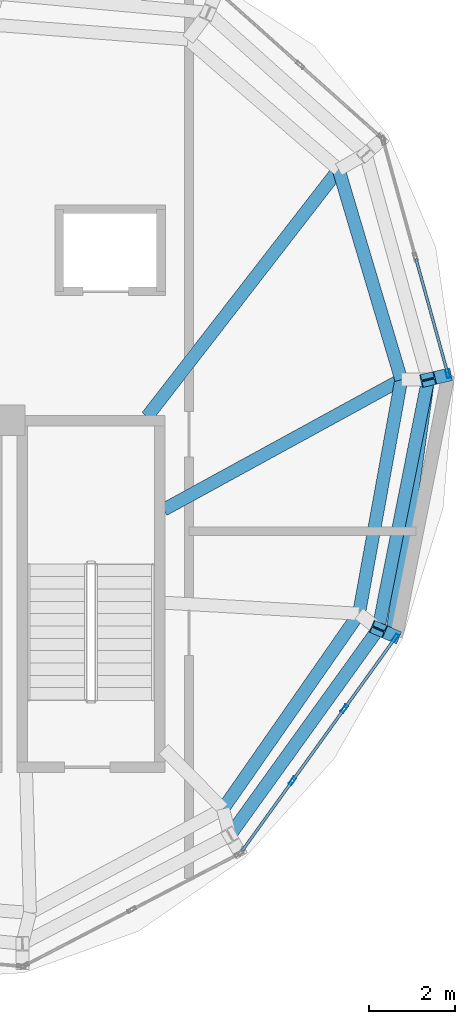
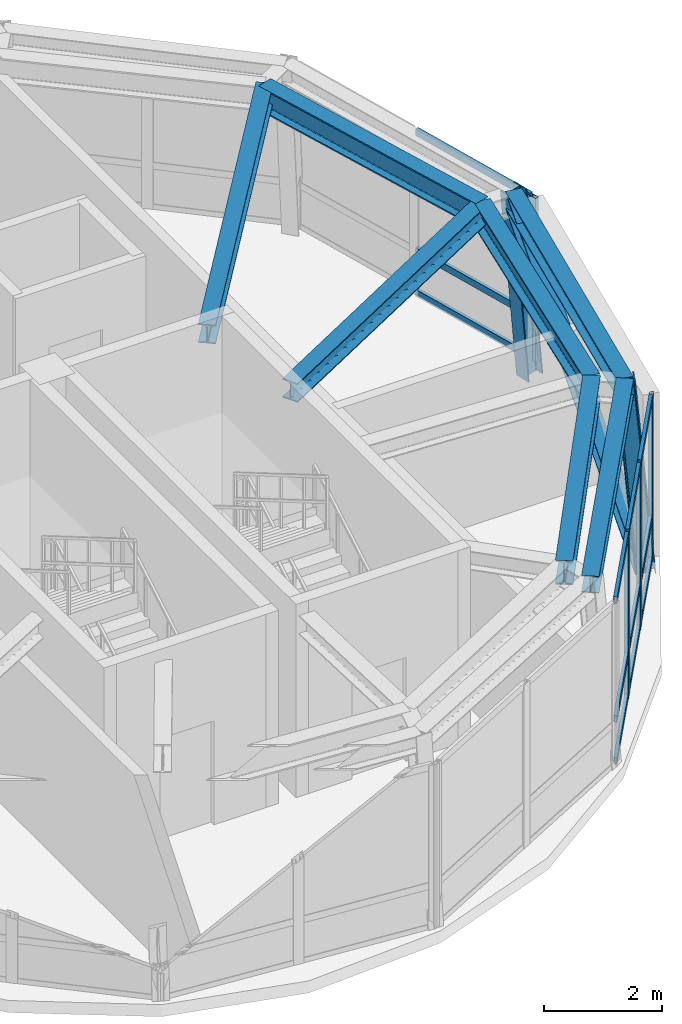
# One storey, part 4 of 9: 19 members, 7 beams, 2 elements without a shape of their own.
"""IFC4 building model written with IfcOpenShell, lengths in metres."""

import ifcopenshell
import ifcopenshell.guid

model = None  # the IFC model being written
_history = None  # IfcOwnerHistory: only IFC2X3 demands one
_inside = {}  # id of a spatial element -> (the spatial element, [elements in it])
_under = {}  # id of a project, library or spatial element -> (it, [spatial elements below it])
_declared = {}  # id of a project -> (the project, [libraries it declares])
_typed = {}  # id of a type object -> (the type object, [elements of that type])
_made_of = {}  # id of a material, layer set ... -> (it, [elements and type objects made of it])


def new_model(schema):
    """Start an empty IFC model of exactly this schema.

    Asked for "IFC4X3", IfcOpenShell would pick the latest addendum, in which some entities
    have other attributes; the version numbers below select the first issue.
    IFC2X3 requires an IfcOwnerHistory on every rooted entity: one is made here for all.
    """
    global model, _history
    if schema == "IFC4X3":
        model = ifcopenshell.file(schema_version=(4, 3, 0, 0))
    else:
        model = ifcopenshell.file(schema=schema)
    _inside.clear()
    _under.clear()
    _declared.clear()
    _typed.clear()
    _made_of.clear()
    _history = None
    if model.schema == "IFC2X3":
        org = make("IfcOrganization", Name="unknown")
        user = make(
            "IfcPersonAndOrganization",
            ThePerson=make("IfcPerson", FamilyName="unknown"),
            TheOrganization=org,
        )
        app = make(
            "IfcApplication",
            ApplicationDeveloper=org,
            Version="unknown",
            ApplicationFullName="unknown",
            ApplicationIdentifier="unknown",
        )
        _history = make(
            "IfcOwnerHistory",
            OwningUser=user,
            OwningApplication=app,
            ChangeAction="ADDED",
            CreationDate=0,
        )
    return model


def make(cls, **values):
    """One entity of the class cls with the attributes given. An attribute that is None is left unset."""
    return model.create_entity(
        cls, **{name: value for name, value in values.items() if value is not None}
    )


def rooted(cls, **values):
    """An entity with a GlobalId (a new one), such as an element, a storey or a relation."""
    return make(cls, GlobalId=ifcopenshell.guid.new(), OwnerHistory=_history, **values)


def si_unit(unit_type, name, prefix=None):
    """IfcSIUnit, for example si_unit("LENGTHUNIT", "METRE", prefix="MILLI")."""
    return make("IfcSIUnit", UnitType=unit_type, Prefix=prefix, Name=name)


def assignment(units):
    """IfcUnitAssignment: the units of a project."""
    return None if units is None else make("IfcUnitAssignment", Units=units)


def point(xyz):
    """IfcCartesianPoint."""
    return None if xyz is None else make("IfcCartesianPoint", Coordinates=xyz)


def direction(xyz):
    """IfcDirection."""
    return None if xyz is None else make("IfcDirection", DirectionRatios=xyz)


def frame(location, z_axis=None, x_axis=None):
    """IfcAxis2Placement3D, a coordinate frame: its origin and axes. An axis left out is left unset."""
    return make(
        "IfcAxis2Placement3D",
        Location=point(location),
        Axis=direction(z_axis),
        RefDirection=direction(x_axis),
    )


def frame_2d(location, x_axis=None):
    """IfcAxis2Placement2D, a coordinate frame in the plane: its origin and x axis."""
    return make(
        "IfcAxis2Placement2D", Location=point(location), RefDirection=direction(x_axis)
    )


def origin():
    """The frame at (0, 0, 0) with its axes left unset."""
    return frame((0.0, 0.0, 0.0))


def origin_2d():
    """The frame at (0, 0) in the plane with its x axis left unset."""
    return frame_2d((0.0, 0.0))


def place(relative_to, where):
    """IfcLocalPlacement: puts the frame where relative to a parent placement (None: the world)."""
    return make(
        "IfcLocalPlacement", PlacementRelTo=relative_to, RelativePlacement=where
    )


def context(
    kind, dimensions, precision=None, world=None, true_north=None, identifier=None
):
    """IfcGeometricRepresentationContext, for example the 3D "Model" context."""
    return make(
        "IfcGeometricRepresentationContext",
        ContextIdentifier=identifier,
        ContextType=kind,
        CoordinateSpaceDimension=dimensions,
        Precision=precision,
        WorldCoordinateSystem=world,
        TrueNorth=true_north,
    )


def subcontext(parent, identifier, kind, view, scale=None):
    """IfcGeometricRepresentationSubContext, for example "Body" below "Model"."""
    return make(
        "IfcGeometricRepresentationSubContext",
        ContextIdentifier=identifier,
        ContextType=kind,
        ParentContext=parent,
        TargetScale=scale,
        TargetView=view,
    )


def project(units=None, contexts=None):
    """IfcProject with its units and contexts."""
    return rooted(
        "IfcProject",
        Name="project",
        RepresentationContexts=contexts,
        UnitsInContext=assignment(units),
    )


def spatial(cls, under=None, at=None, **own):
    """A site, building, storey or space (cls), placed at a placement, below another one or the project."""
    s = rooted(cls, ObjectPlacement=at, **own)
    if under is not None:
        _under.setdefault(under.id(), (under, []))[1].append(s)
    return s


def profile(cls, at=None, kind="AREA", **sizes):
    """A parametric profile (cls). Its sizes go by their IFC names, for example OverallWidth=200.0."""
    return make(cls, ProfileType=kind, Position=at, **sizes)


def hollow_rectangle(**sizes):
    """IfcRectangleHollowProfileDef."""
    return profile("IfcRectangleHollowProfileDef", **sizes)


def i_section(**sizes):
    """IfcIShapeProfileDef."""
    return profile("IfcIShapeProfileDef", **sizes)


def extrude(swept, where, along, depth):
    """IfcExtrudedAreaSolid: the profile swept, set in the frame where, extruded along a direction by depth."""
    return make(
        "IfcExtrudedAreaSolid",
        SweptArea=swept,
        Position=where,
        ExtrudedDirection=direction(along),
        Depth=depth,
    )


def shape(context_of_items, identifier, shape_type, items):
    """IfcShapeRepresentation: the items that make up one representation, for example the "Body"."""
    return make(
        "IfcShapeRepresentation",
        ContextOfItems=context_of_items,
        RepresentationIdentifier=identifier,
        RepresentationType=shape_type,
        Items=items,
    )


def material(Name=None, Category=None):
    """IfcMaterial."""
    return make("IfcMaterial", Name=Name, Category=Category)


def layer(
    of_material, thickness, ventilated=None, Name=None, Category=None, Priority=None
):
    """IfcMaterialLayer: one layer of a wall or slab, of a material (None: an air gap)."""
    return make(
        "IfcMaterialLayer",
        Material=of_material,
        LayerThickness=thickness,
        IsVentilated=ventilated,
        Name=Name,
        Category=Category,
        Priority=Priority,
    )


def layer_set(layers, Name=None):
    """IfcMaterialLayerSet."""
    return make("IfcMaterialLayerSet", MaterialLayers=layers, LayerSetName=Name)


def material_profile(
    of_material, cross_section, Name=None, Category=None, Priority=None
):
    """IfcMaterialProfile: a cross section and its material."""
    return make(
        "IfcMaterialProfile",
        Name=Name,
        Material=of_material,
        Profile=cross_section,
        Priority=Priority,
        Category=Category,
    )


def profile_set(profiles, Name=None, composite=None):
    """IfcMaterialProfileSet."""
    return make(
        "IfcMaterialProfileSet",
        Name=Name,
        MaterialProfiles=profiles,
        CompositeProfile=composite,
    )


def made_of(thing, what):
    """Note that an element or type object is made of a material, layer set ...; save() writes the relation."""
    if what is not None:
        _made_of.setdefault(what.id(), (what, []))[1].append(thing)
    return thing


def type_object(cls, material=None, **own):
    """A type object (cls), such as IfcWallType, which elements share."""
    return made_of(rooted(cls, **own), material)


def element(
    cls,
    number,
    at=None,
    inside=None,
    cuts=None,
    type_object=None,
    material=None,
    context=None,
    identifier="Body",
    shape_type=None,
    held_by="IfcProductDefinitionShape",
    body=None,
    shapes=None,
    **own,
):
    """One element of the class cls, such as IfcWall. Its Tag is "e" and its number.

    at: its placement. inside: the storey or other place that contains it. cuts: it is an
    opening in that element (IfcRelVoidsElement). A single representation is given by context,
    identifier, shape_type and body (its items); several are given by shapes. held_by: the class
    of the entity that holds the representations. save() writes the other relations.
    """
    e = rooted(cls, Tag="e%d" % number, ObjectPlacement=at, **own)
    if body is not None:
        shapes = [shape(context, identifier, shape_type, body)]
    if shapes is not None:
        e.Representation = make(held_by, Representations=shapes)
    if inside is not None:
        _inside.setdefault(inside.id(), (inside, []))[1].append(e)
    if cuts is not None:
        rooted(
            "IfcRelVoidsElement", RelatingBuildingElement=cuts, RelatedOpeningElement=e
        )
    if type_object is not None:
        _typed.setdefault(type_object.id(), (type_object, []))[1].append(e)
    return made_of(e, material)


def aggregate(whole, parts):
    """IfcRelAggregates: a whole, such as a stair, and the parts it consists of."""
    return rooted("IfcRelAggregates", RelatingObject=whole, RelatedObjects=parts)


def save(model, path):
    """Write the relations noted so far, then the file.

    IfcRelAggregates (storeys below a building ...), IfcRelContainedInSpatialStructure (elements
    in a storey), IfcRelDefinesByType, IfcRelAssociatesMaterial and IfcRelDeclares: one each for
    every whole, place, type object, material and project.
    """
    for whole, parts in _under.values():
        aggregate(whole, parts)
    for where, things in _inside.values():
        rooted(
            "IfcRelContainedInSpatialStructure",
            RelatedElements=things,
            RelatingStructure=where,
        )
    for kind, things in _typed.values():
        rooted("IfcRelDefinesByType", RelatedObjects=things, RelatingType=kind)
    for what, things in _made_of.values():
        rooted("IfcRelAssociatesMaterial", RelatedObjects=things, RelatingMaterial=what)
    for by, libraries in _declared.values():
        rooted("IfcRelDeclares", RelatingContext=by, RelatedDefinitions=libraries)
    model.write(path)


model = new_model("IFC4")

# Units and contexts
model_context = context("Model", 3, precision=1e-05, world=origin(), true_north=direction((0.0, 1.0)))
body_context = subcontext(model_context, "Body", "Model", "MODEL_VIEW")
ifc_project = project(units=[si_unit("LENGTHUNIT", "METRE"), si_unit("AREAUNIT", "SQUARE_METRE"), si_unit("VOLUMEUNIT", "CUBIC_METRE"), si_unit("PLANEANGLEUNIT", "RADIAN"), si_unit("MASSUNIT", "GRAM", prefix="KILO"), si_unit("THERMODYNAMICTEMPERATUREUNIT", "KELVIN"), si_unit("POWERUNIT", "WATT")], contexts=[model_context])

# Site, building, storey
site_placement = place(None, origin())
site = spatial("IfcSite", under=ifc_project, at=site_placement, CompositionType="ELEMENT")
building_placement = place(site_placement, origin())
building = spatial("IfcBuilding", under=site, at=building_placement, Name="Ocrelia Relay Tower", CompositionType="ELEMENT")
storey_placement = place(building_placement, frame((0.0, 0.0, 304.0)))
storey = spatial("IfcBuildingStorey", under=building, at=storey_placement, Name="L76", CompositionType="ELEMENT", Elevation=304.0)

# Beams
ifc_material_1 = material(Name="Steel S355", Category="steel")
ifc_material_profile_1 = material_profile(ifc_material_1, i_section(OverallWidth=0.300048828125, OverallDepth=0.35009765625, WebThickness=0.010009765625, FlangeThickness=0.017578125, FilletRadius=0.027099609375, at=origin_2d()), Name="HEA 360")
ifc_profile_set_1 = profile_set([ifc_material_profile_1], Name="Steel S355")
beam_type_1 = type_object("IfcBeamType", Name="BM-HEA360", PredefinedType="SPANDREL", material=ifc_profile_set_1)
beam_1_placement = place(storey_placement, frame((39.09326171875, 17.515380859375, 3.574951171875), z_axis=(0.583939549479, 0.811797143722, 0.0), x_axis=(-0.811797143722, 0.583939549479, 0.0)))
element("IfcBeam", 1, at=beam_1_placement, inside=storey, type_object=beam_type_1, Name="L76 Crown Faceted Ring Beam R09", PredefinedType="SPANDREL", context=body_context, shape_type="SweptSolid", body=[
    extrude(i_section(OverallWidth=0.300048828125, OverallDepth=0.35009765625, WebThickness=0.010009765625, FlangeThickness=0.017578125, FilletRadius=0.027099609375, at=origin_2d()), origin(), (0.0, 0.0, 1.0), 5.88330078125),
])
beam_2_placement = place(storey_placement, frame((42.52880859375, 22.29150390625, 3.574951171875), z_axis=(0.195445770651, 0.980714510311, 0.0), x_axis=(-0.980714510311, 0.195445770651, 0.0)))
element("IfcBeam", 2, at=beam_2_placement, inside=storey, type_object=beam_type_1, Name="L76 Crown Faceted Ring Beam R10", PredefinedType="SPANDREL", context=body_context, shape_type="SweptSolid", body=[
    extrude(i_section(OverallWidth=0.300048828125, OverallDepth=0.35009765625, WebThickness=0.010009765625, FlangeThickness=0.017578125, FilletRadius=0.027099609375, at=origin_2d()), origin(), (0.0, 0.0, 1.0), 5.883544921875),
])
ifc_material_profile_2 = material_profile(ifc_material_1, i_section(OverallWidth=0.300048828125, OverallDepth=0.389892578125, WebThickness=0.010986328125, FlangeThickness=0.01904296875, FilletRadius=0.027099609375, at=origin_2d()), Name="HEA 400")
ifc_profile_set_2 = profile_set([ifc_material_profile_2], Name="Steel S355")
beam_type_2 = type_object("IfcBeamType", Name="BM-HEA400", PredefinedType="SPANDREL", material=ifc_profile_set_2)
beam_3_placement = place(storey_placement, frame((43.0595703125, 28.05810546875, 3.554931640625), z_axis=(-0.877222909285, -0.480083292174, 0.0), x_axis=(0.480083292174, -0.877222909285, 0.0)))
element("IfcBeam", 3, at=beam_3_placement, inside=storey, type_object=beam_type_2, Name="L76 Crown Radial Floor Beam 11", PredefinedType="SPANDREL", context=body_context, shape_type="SweptSolid", body=[
    extrude(i_section(OverallWidth=0.300048828125, OverallDepth=0.389892578125, WebThickness=0.010986328125, FlangeThickness=0.01904296875, FilletRadius=0.027099609375, at=origin_2d()), origin(), (0.0, 0.0, 1.0), 6.263671875),
])
beam_4_placement = place(storey_placement, frame((41.610595703125, 32.920166015625, 3.554931640625), z_axis=(-0.612572192814, -0.790414643457, 0.0), x_axis=(0.790414643457, -0.612572192814, 0.0)))
element("IfcBeam", 4, at=beam_4_placement, inside=storey, type_object=beam_type_2, Name="L76 Crown Radial Floor Beam 12", PredefinedType="SPANDREL", context=body_context, shape_type="SweptSolid", body=[
    extrude(i_section(OverallWidth=0.300048828125, OverallDepth=0.389892578125, WebThickness=0.010986328125, FlangeThickness=0.01904296875, FilletRadius=0.027099609375, at=origin_2d()), origin(), (0.0, 0.0, 1.0), 7.23046875),
])
ifc_material_profile_3 = material_profile(ifc_material_1, i_section(OverallWidth=0.300048828125, OverallDepth=0.5, WebThickness=0.014404296875, FlangeThickness=0.028076171875, FilletRadius=0.027099609375, at=origin_2d()), Name="HEB 500")
ifc_profile_set_3 = profile_set([ifc_material_profile_3], Name="Steel S355")
beam_type_3 = type_object("IfcBeamType", Name="BM-HEB500", PredefinedType="BEAM", material=ifc_profile_set_3)
beam_5_placement = place(storey_placement, frame((38.93701171875, 18.1298828125, 3.5), z_axis=(0.571483081197, 0.820613848229, 0.0), x_axis=(-0.820613848229, 0.571483081197, 0.0)))
element("IfcBeam", 5, at=beam_5_placement, inside=storey, type_object=beam_type_3, Name="L76 Crown Step Perimeter Ring Beam SR09", PredefinedType="BEAM", context=body_context, shape_type="SweptSolid", body=[
    extrude(i_section(OverallWidth=0.300048828125, OverallDepth=0.5, WebThickness=0.014404296875, FlangeThickness=0.028076171875, FilletRadius=0.027099609375, at=origin_2d()), origin(), (0.0, 0.0, 1.0), 5.50146484375),
])
beam_6_placement = place(storey_placement, frame((42.0810546875, 22.64453125, 3.5), z_axis=(0.177869957549, 0.984054001669, 0.0), x_axis=(-0.984054001669, 0.177869957549, 0.0)))
element("IfcBeam", 6, at=beam_6_placement, inside=storey, type_object=beam_type_3, Name="L76 Crown Step Perimeter Ring Beam SR10", PredefinedType="BEAM", context=body_context, shape_type="SweptSolid", body=[
    extrude(i_section(OverallWidth=0.300048828125, OverallDepth=0.5, WebThickness=0.014404296875, FlangeThickness=0.028076171875, FilletRadius=0.027099609375, at=origin_2d()), origin(), (0.0, 0.0, 1.0), 5.501220703125),
])
beam_7_placement = place(storey_placement, frame((43.0595703125, 28.05810546875, 3.5), z_axis=(-0.285603541902, 0.958347857958, 0.0), x_axis=(-0.958347857958, -0.285603541902, 0.0)))
element("IfcBeam", 7, at=beam_7_placement, inside=storey, type_object=beam_type_3, Name="L76 Crown Step Perimeter Ring Beam SR11", PredefinedType="BEAM", context=body_context, shape_type="SweptSolid", body=[
    extrude(i_section(OverallWidth=0.300048828125, OverallDepth=0.5, WebThickness=0.014404296875, FlangeThickness=0.028076171875, FilletRadius=0.027099609375, at=origin_2d()), origin(), (0.0, 0.0, 1.0), 5.073486328125),
])

# Curtain wall, members
ifc_material_2 = material(Name="Aluminium and solar-control low-E glass", Category="aluminium")
ifc_layer = layer(ifc_material_2, 0.179931640625, Name="Aluminium and solar-control low-E glass")
ifc_layer_set = layer_set([ifc_layer], Name="Aluminium and solar-control low-E glass")
curtain_wall_type = type_object("IfcCurtainWallType", Name="CW-SYS-CROWN-PT", PredefinedType="NOTDEFINED", material=ifc_layer_set)
curtain_wall_1_placement = place(storey_placement, origin())
curtain_wall_1 = element("IfcCurtainWall", 8, at=curtain_wall_1_placement, inside=storey, type_object=curtain_wall_type, Name="L76 Faceted Glass-Point Crown Curtain Wall 09", PredefinedType="NOTDEFINED")
ifc_material_3 = material(Name="Anodised bronze aluminium", Category="aluminium")
ifc_material_profile_4 = material_profile(ifc_material_3, hollow_rectangle(XDim=0.074951171875, YDim=0.199951171875, WallThickness=0.006103515625, at=origin_2d()), Name="CW-MUL-200x75")
ifc_profile_set_4 = profile_set([ifc_material_profile_4], Name="Anodised bronze aluminium")
member_type_1 = type_object("IfcMemberType", Name="CW-SYS-CROWN-PT-MUL", PredefinedType="MULLION", material=ifc_profile_set_4)
member_1_placement = place(storey_placement, frame((40.541015625, 18.77587890625, 0.0), z_axis=(0.0, 0.0, 1.0), x_axis=(-0.811754879976, 0.583998300371, 0.0)))
member_1 = element("IfcMember", 9, at=member_1_placement, type_object=member_type_1, Name="CW-CR mullion 2", PredefinedType="MULLION", context=body_context, shape_type="SweptSolid", body=[
    extrude(hollow_rectangle(XDim=0.074951171875, YDim=0.199951171875, WallThickness=0.006103515625, at=origin_2d()), origin(), (0.0, 0.0, 1.0), 3.389892578125),
])
member_2_placement = place(storey_placement, frame((41.7412109375, 20.444091796875, 0.0), z_axis=(0.0, 0.0, 1.0), x_axis=(-0.811754879976, 0.583998300371, 0.0)))
member_2 = element("IfcMember", 10, at=member_2_placement, type_object=member_type_1, Name="CW-CR mullion 3", PredefinedType="MULLION", context=body_context, shape_type="SweptSolid", body=[
    extrude(hollow_rectangle(XDim=0.074951171875, YDim=0.199951171875, WallThickness=0.006103515625, at=origin_2d()), origin(), (0.0, 0.0, 1.0), 3.389892578125),
])
member_3_placement = place(storey_placement, frame((42.91943359375, 22.081787109375, 0.0), z_axis=(0.0, 0.0, 1.0), x_axis=(-0.811754879976, 0.583998300371, 0.0)))
member_3 = element("IfcMember", 11, at=member_3_placement, type_object=member_type_1, Name="CW-CR mullion 4", PredefinedType="MULLION", context=body_context, shape_type="SweptSolid", body=[
    extrude(hollow_rectangle(XDim=0.074951171875, YDim=0.199951171875, WallThickness=0.006103515625, at=origin_2d()), origin(), (0.0, 0.0, 1.0), 3.389892578125),
])

# Curtain wall, member
curtain_wall_2_placement = place(storey_placement, origin())
curtain_wall_2 = element("IfcCurtainWall", 12, at=curtain_wall_2_placement, inside=storey, type_object=curtain_wall_type, Name="L76 Faceted Glass-Point Crown Curtain Wall 11", PredefinedType="NOTDEFINED")
member_4_placement = place(storey_placement, frame((44.135986328125, 28.194580078125, 0.0), z_axis=(0.0, 0.0, 1.0), x_axis=(-0.963737274825, -0.266852890397, 0.0)))
member_4 = element("IfcMember", 13, at=member_4_placement, type_object=member_type_1, Name="CW-CR mullion 1", PredefinedType="MULLION", context=body_context, shape_type="SweptSolid", body=[
    extrude(hollow_rectangle(XDim=0.074951171875, YDim=0.199951171875, WallThickness=0.006103515625, at=origin_2d()), origin(), (0.0, 0.0, 1.0), 3.389892578125),
])

# Member
ifc_material_profile_5 = material_profile(ifc_material_3, hollow_rectangle(XDim=0.06494140625, YDim=0.139892578125, WallThickness=0.0048828125, at=origin_2d()), Name="CW-TRN-140x65")
ifc_profile_set_5 = profile_set([ifc_material_profile_5], Name="Anodised bronze aluminium")
member_type_2 = type_object("IfcMemberType", Name="CW-SYS-CROWN-PT-TRN", PredefinedType="USERDEFINED", material=ifc_profile_set_5)
member_5_placement = place(storey_placement, frame((39.384765625, 17.168701171875, 0.032470703125), z_axis=(0.584016653813, 0.8117416757, 0.0), x_axis=(-0.8117416757, 0.584016653813, 0.0)))
member_5 = element("IfcMember", 14, at=member_5_placement, type_object=member_type_2, Name="CW-CR transom 1.1", ObjectType="TRANSOM", PredefinedType="USERDEFINED", context=body_context, shape_type="SweptSolid", body=[
    extrude(hollow_rectangle(XDim=0.06494140625, YDim=0.139892578125, WallThickness=0.0048828125, at=origin_2d()), origin(), (0.0, 0.0, 1.0), 1.942626953125),
])

member_6_placement = place(storey_placement, frame((39.384765625, 17.168701171875, 0.89990234375), z_axis=(0.584016653813, 0.8117416757, 0.0), x_axis=(-0.8117416757, 0.584016653813, 0.0)))
member_6 = element("IfcMember", 15, at=member_6_placement, type_object=member_type_2, Name="CW-CR transom 1.2", ObjectType="TRANSOM", PredefinedType="USERDEFINED", context=body_context, shape_type="SweptSolid", body=[
    extrude(hollow_rectangle(XDim=0.06494140625, YDim=0.139892578125, WallThickness=0.0048828125, at=origin_2d()), origin(), (0.0, 0.0, 1.0), 1.942626953125),
])

member_7_placement = place(storey_placement, frame((39.384765625, 17.168701171875, 3.357421875), z_axis=(0.584016653813, 0.8117416757, 0.0), x_axis=(-0.8117416757, 0.584016653813, 0.0)))
member_7 = element("IfcMember", 16, at=member_7_placement, type_object=member_type_2, Name="CW-CR transom 1.3", ObjectType="TRANSOM", PredefinedType="USERDEFINED", context=body_context, shape_type="SweptSolid", body=[
    extrude(hollow_rectangle(XDim=0.06494140625, YDim=0.139892578125, WallThickness=0.0048828125, at=origin_2d()), origin(), (0.0, 0.0, 1.0), 1.942626953125),
])

member_8_placement = place(storey_placement, frame((40.56298828125, 18.806396484375, 0.032470703125), z_axis=(0.583999331402, 0.811754138223, 0.0), x_axis=(-0.811754138223, 0.583999331402, 0.0)))
member_8 = element("IfcMember", 17, at=member_8_placement, type_object=member_type_2, Name="CW-CR transom 2.1", ObjectType="TRANSOM", PredefinedType="USERDEFINED", context=body_context, shape_type="SweptSolid", body=[
    extrude(hollow_rectangle(XDim=0.06494140625, YDim=0.139892578125, WallThickness=0.0048828125, at=origin_2d()), origin(), (0.0, 0.0, 1.0), 1.97998046875),
])

member_9_placement = place(storey_placement, frame((40.56298828125, 18.806396484375, 0.89990234375), z_axis=(0.583999331402, 0.811754138223, 0.0), x_axis=(-0.811754138223, 0.583999331402, 0.0)))
member_9 = element("IfcMember", 18, at=member_9_placement, type_object=member_type_2, Name="CW-CR transom 2.2", ObjectType="TRANSOM", PredefinedType="USERDEFINED", context=body_context, shape_type="SweptSolid", body=[
    extrude(hollow_rectangle(XDim=0.06494140625, YDim=0.139892578125, WallThickness=0.0048828125, at=origin_2d()), origin(), (0.0, 0.0, 1.0), 1.97998046875),
])

member_10_placement = place(storey_placement, frame((40.56298828125, 18.806396484375, 3.357421875), z_axis=(0.583999331402, 0.811754138223, 0.0), x_axis=(-0.811754138223, 0.583999331402, 0.0)))
member_10 = element("IfcMember", 19, at=member_10_placement, type_object=member_type_2, Name="CW-CR transom 2.3", ObjectType="TRANSOM", PredefinedType="USERDEFINED", context=body_context, shape_type="SweptSolid", body=[
    extrude(hollow_rectangle(XDim=0.06494140625, YDim=0.139892578125, WallThickness=0.0048828125, at=origin_2d()), origin(), (0.0, 0.0, 1.0), 1.97998046875),
])

member_11_placement = place(storey_placement, frame((41.76318359375, 20.474609375, 0.032470703125), z_axis=(0.583993417789, 0.811758392614, 0.0), x_axis=(-0.811758392614, 0.583993417789, 0.0)))
member_11 = element("IfcMember", 20, at=member_11_placement, type_object=member_type_2, Name="CW-CR transom 3.1", ObjectType="TRANSOM", PredefinedType="USERDEFINED", context=body_context, shape_type="SweptSolid", body=[
    extrude(hollow_rectangle(XDim=0.06494140625, YDim=0.139892578125, WallThickness=0.0048828125, at=origin_2d()), origin(), (0.0, 0.0, 1.0), 1.9423828125),
])

member_12_placement = place(storey_placement, frame((41.76318359375, 20.474609375, 0.89990234375), z_axis=(0.583993417789, 0.811758392614, 0.0), x_axis=(-0.811758392614, 0.583993417789, 0.0)))
member_12 = element("IfcMember", 21, at=member_12_placement, type_object=member_type_2, Name="CW-CR transom 3.2", ObjectType="TRANSOM", PredefinedType="USERDEFINED", context=body_context, shape_type="SweptSolid", body=[
    extrude(hollow_rectangle(XDim=0.06494140625, YDim=0.139892578125, WallThickness=0.0048828125, at=origin_2d()), origin(), (0.0, 0.0, 1.0), 1.9423828125),
])

member_13_placement = place(storey_placement, frame((41.76318359375, 20.474609375, 3.357421875), z_axis=(0.583993417789, 0.811758392614, 0.0), x_axis=(-0.811758392614, 0.583993417789, 0.0)))
member_13 = element("IfcMember", 22, at=member_13_placement, type_object=member_type_2, Name="CW-CR transom 3.3", ObjectType="TRANSOM", PredefinedType="USERDEFINED", context=body_context, shape_type="SweptSolid", body=[
    extrude(hollow_rectangle(XDim=0.06494140625, YDim=0.139892578125, WallThickness=0.0048828125, at=origin_2d()), origin(), (0.0, 0.0, 1.0), 1.9423828125),
])

aggregate(curtain_wall_1, [member_1, member_2, member_3, member_5, member_6, member_7, member_8, member_9, member_10, member_11, member_12, member_13])

member_14_placement = place(storey_placement, frame((44.1259765625, 28.230712890625, 0.032470703125), z_axis=(-0.26687652196, 0.963730731079, 0.0), x_axis=(-0.963730731079, -0.26687652196, 0.0)))
member_14 = element("IfcMember", 23, at=member_14_placement, type_object=member_type_2, Name="CW-CR transom 1.1", ObjectType="TRANSOM", PredefinedType="USERDEFINED", context=body_context, shape_type="SweptSolid", body=[
    extrude(hollow_rectangle(XDim=0.06494140625, YDim=0.139892578125, WallThickness=0.0048828125, at=origin_2d()), origin(), (0.0, 0.0, 1.0), 2.724365234375),
])

member_15_placement = place(storey_placement, frame((44.1259765625, 28.230712890625, 0.89990234375), z_axis=(-0.26687652196, 0.963730731079, 0.0), x_axis=(-0.963730731079, -0.26687652196, 0.0)))
member_15 = element("IfcMember", 24, at=member_15_placement, type_object=member_type_2, Name="CW-CR transom 1.2", ObjectType="TRANSOM", PredefinedType="USERDEFINED", context=body_context, shape_type="SweptSolid", body=[
    extrude(hollow_rectangle(XDim=0.06494140625, YDim=0.139892578125, WallThickness=0.0048828125, at=origin_2d()), origin(), (0.0, 0.0, 1.0), 2.724365234375),
])

member_16_placement = place(storey_placement, frame((44.1259765625, 28.230712890625, 3.357421875), z_axis=(-0.26687652196, 0.963730731079, 0.0), x_axis=(-0.963730731079, -0.26687652196, 0.0)))
member_16 = element("IfcMember", 25, at=member_16_placement, type_object=member_type_2, Name="CW-CR transom 1.3", ObjectType="TRANSOM", PredefinedType="USERDEFINED", context=body_context, shape_type="SweptSolid", body=[
    extrude(hollow_rectangle(XDim=0.06494140625, YDim=0.139892578125, WallThickness=0.0048828125, at=origin_2d()), origin(), (0.0, 0.0, 1.0), 2.724365234375),
])

aggregate(curtain_wall_2, [member_4, member_14, member_15, member_16])

# Members
ifc_material_profile_6 = material_profile(ifc_material_1, i_section(OverallWidth=0.300048828125, OverallDepth=0.300048828125, WebThickness=0.010986328125, FlangeThickness=0.01904296875, FilletRadius=0.027099609375, at=origin_2d()), Name="HEB 300")
ifc_profile_set_6 = profile_set([ifc_material_profile_6], Name="Steel S355")
member_type_3 = type_object("IfcMemberType", Name="MB-CROWN-DIAG", PredefinedType="BRACE", material=ifc_profile_set_6)
member_17_placement = place(storey_placement, frame((42.849609375, 22.152099609375, -0.25), z_axis=(0.116973491426, 0.833728904584, 0.539641840451), x_axis=(-0.990300693987, 0.138940762519, 0.0)))
element("IfcMember", 26, at=member_17_placement, inside=storey, type_object=member_type_3, Name="L76 Crown Bracing Diagonal CD10", PredefinedType="BRACE", context=body_context, shape_type="SweptSolid", body=[
    extrude(i_section(OverallWidth=0.300048828125, OverallDepth=0.300048828125, WebThickness=0.010986328125, FlangeThickness=0.01904296875, FilletRadius=0.027099609375, at=origin_2d()), origin(), (0.0, 0.0, 1.0), 7.087890625),
])
ifc_material_profile_7 = material_profile(ifc_material_1, i_section(OverallWidth=0.300048828125, OverallDepth=0.340087890625, WebThickness=0.011962890625, FlangeThickness=0.021484375, FilletRadius=0.027099609375, at=origin_2d()), Name="HEB 340")
ifc_profile_set_7 = profile_set([ifc_material_profile_7], Name="Steel S355")
member_type_4 = type_object("IfcMemberType", Name="MB-CROWN-RIB", PredefinedType="STRUT", material=ifc_profile_set_7)
member_18_placement = place(storey_placement, frame((42.849609375, 22.152099609375, -0.25), z_axis=(-0.079895310555, 0.034718586246, 0.996198453683), x_axis=(-0.398547447211, -0.91714771565, 0.0)))
element("IfcMember", 27, at=member_18_placement, inside=storey, type_object=member_type_4, Name="L76 Crown Faceted Structural Strut Rib CR10", PredefinedType="STRUT", context=body_context, shape_type="SweptSolid", body=[
    extrude(i_section(OverallWidth=0.300048828125, OverallDepth=0.340087890625, WebThickness=0.011962890625, FlangeThickness=0.021484375, FilletRadius=0.027099609375, at=origin_2d()), origin(), (0.0, 0.0, 1.0), 4.015380859375),
])
member_19_placement = place(storey_placement, frame((44.04638671875, 28.14697265625, -0.25), z_axis=(-0.091512369506, -0.021267814958, 0.995576800791), x_axis=(0.226370797158, -0.974041201487, 0.0)))
element("IfcMember", 28, at=member_19_placement, inside=storey, type_object=member_type_4, Name="L76 Crown Faceted Structural Strut Rib CR11", PredefinedType="STRUT", context=body_context, shape_type="SweptSolid", body=[
    extrude(i_section(OverallWidth=0.300048828125, OverallDepth=0.340087890625, WebThickness=0.011962890625, FlangeThickness=0.021484375, FilletRadius=0.027099609375, at=origin_2d()), origin(), (0.0, 0.0, 1.0), 4.017822265625),
])

save(model, "model.ifc")
